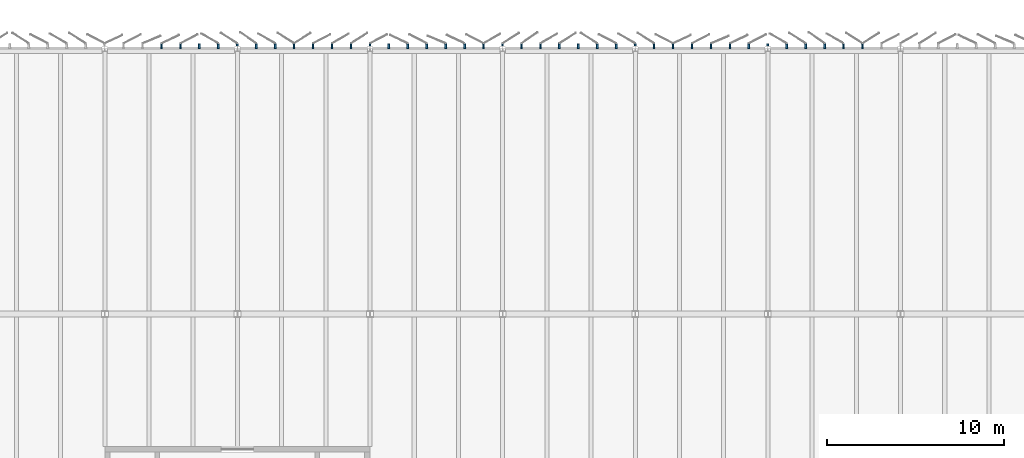
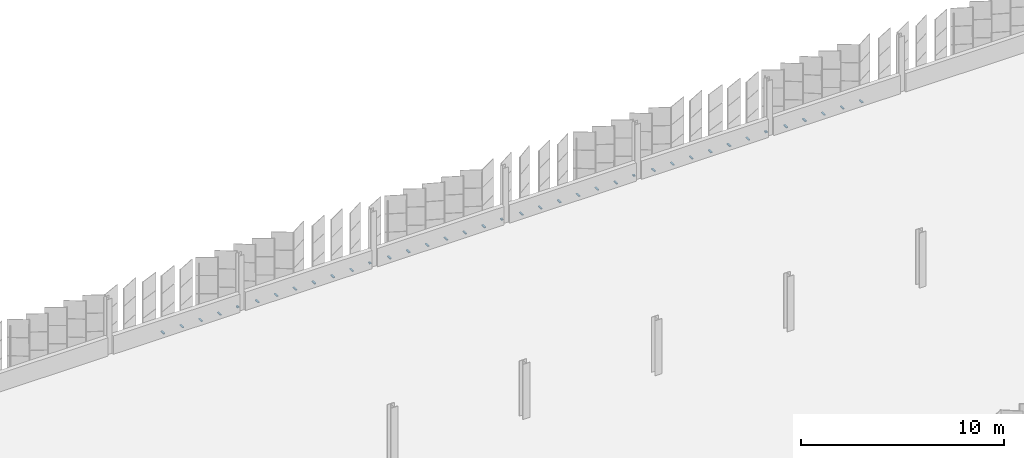
# One storey, part 176 of 199: 38 discrete accessories.
"""IFC4 building model written with IfcOpenShell, lengths in metres."""

from ifc_helpers import new_model, si_unit, direction, frame, origin, origin_2d, place, context, subcontext, project, spatial, rectangle, extrude, material, type_object, element, save


model = new_model("IFC4")

# Units and contexts
model_context = context("Model", 3, precision=1e-05, world=origin(), true_north=direction((0.0, 1.0)))
body_context = subcontext(model_context, "Body", "Model", "MODEL_VIEW")
ifc_project = project(units=[si_unit("LENGTHUNIT", "METRE"), si_unit("AREAUNIT", "SQUARE_METRE"), si_unit("VOLUMEUNIT", "CUBIC_METRE"), si_unit("PLANEANGLEUNIT", "RADIAN"), si_unit("MASSUNIT", "GRAM", prefix="KILO")], contexts=[model_context])

# Site, building, storey
site_placement = place(None, origin())
site = spatial("IfcSite", under=ifc_project, at=site_placement, CompositionType="ELEMENT")
building_placement = place(site_placement, origin())
building = spatial("IfcBuilding", under=site, at=building_placement, Name="Parallax Yard Mobility Hub", CompositionType="ELEMENT")
storey_placement = place(building_placement, frame((0.0, 0.0, 9.89990234375)))
storey = spatial("IfcBuildingStorey", under=building, at=storey_placement, Name="L03", CompositionType="ELEMENT", Elevation=9.89990234375)

# Discrete accessories
ifc_material = material(Name="Steel ASTM A36, hot-dip galvanised", Category="steel")
discrete_accessory_type = type_object("IfcDiscreteAccessoryType", Name="Hinge bracket plate 100x50", PredefinedType="BRACKET", material=ifc_material)
for number, where, z_axis, x_axis, name in (
    (1, (110.351806640625, 142.6416015625, -0.02490234375), (0.0, 0.0, 1.0), (0.0, 1.0, 0.0), "Hinge bracket plate bay 59.3 level L03"),
    (2, (109.280029296875, 142.6416015625, -0.02490234375), (0.0, 0.0, 1.0), (0.0, 1.0, 0.0), "Hinge bracket plate bay 59.4 level L03"),
    (3, (108.20849609375, 142.6416015625, -0.02490234375), (0.0, 0.0, 1.0), (0.0, 1.0, 0.0), "Hinge bracket plate bay 59.5 level L03"),
    (4, (107.136962890625, 142.6416015625, -0.02490234375), (0.0, 0.0, 1.0), (0.0, 1.0, 0.0), "Hinge bracket plate bay 59.6 level L03"),
    (5, (106.0654296875, 142.6416015625, -0.02490234375), (0.0, 0.0, 1.0), (0.0, 1.0, 0.0), "Hinge bracket plate bay 59.7 level L03"),
):
    element("IfcDiscreteAccessory", number, at=place(storey_placement, frame(where, z_axis=z_axis, x_axis=x_axis)), inside=storey, type_object=discrete_accessory_type, Name=name, PredefinedType="BRACKET", context=body_context, shape_type="SweptSolid", body=[
        extrude(rectangle(XDim=0.2841796875, YDim=0.10009765625, at=origin_2d()), origin(), (0.0, 0.0, 1.0), 0.050048828125),
    ])
discrete_accessory_1_placement = place(storey_placement, frame((104.993896484375, 142.71826171875, -0.02490234375), z_axis=(0.0, 0.0, 1.0), x_axis=(0.0, 1.0, 0.0)))
element("IfcDiscreteAccessory", 6, at=discrete_accessory_1_placement, inside=storey, type_object=discrete_accessory_type, Name="Hinge bracket plate bay 60.1 level L03", PredefinedType="BRACKET", context=body_context, shape_type="SweptSolid", body=[
    extrude(rectangle(XDim=0.130615234375, YDim=0.10009765625, at=origin_2d()), origin(), (0.0, 0.0, 1.0), 0.050048828125),
])
for number, where, z_axis, x_axis, name in (
    (7, (103.92236328125, 142.6416015625, -0.02490234375), (0.0, 0.0, 1.0), (0.0, 1.0, 0.0), "Hinge bracket plate bay 60.2 level L03"),
    (8, (102.850830078125, 142.6416015625, -0.02490234375), (0.0, 0.0, 1.0), (0.0, 1.0, 0.0), "Hinge bracket plate bay 60.3 level L03"),
    (9, (101.779296875, 142.6416015625, -0.02490234375), (0.0, 0.0, 1.0), (0.0, 1.0, 0.0), "Hinge bracket plate bay 60.4 level L03"),
    (10, (100.707763671875, 142.6416015625, -0.02490234375), (0.0, 0.0, 1.0), (0.0, 1.0, 0.0), "Hinge bracket plate bay 60.5 level L03"),
    (11, (99.635986328125, 142.6416015625, -0.02490234375), (0.0, 0.0, 1.0), (0.0, 1.0, 0.0), "Hinge bracket plate bay 60.6 level L03"),
    (12, (98.564453125, 142.6416015625, -0.02490234375), (0.0, 0.0, 1.0), (0.0, 1.0, 0.0), "Hinge bracket plate bay 60.7 level L03"),
):
    element("IfcDiscreteAccessory", number, at=place(storey_placement, frame(where, z_axis=z_axis, x_axis=x_axis)), inside=storey, type_object=discrete_accessory_type, Name=name, PredefinedType="BRACKET", context=body_context, shape_type="SweptSolid", body=[
        extrude(rectangle(XDim=0.2841796875, YDim=0.10009765625, at=origin_2d()), origin(), (0.0, 0.0, 1.0), 0.050048828125),
    ])
discrete_accessory_2_placement = place(storey_placement, frame((97.492919921875, 142.71826171875, -0.02490234375), z_axis=(0.0, 0.0, 1.0), x_axis=(0.0, 1.0, 0.0)))
element("IfcDiscreteAccessory", 13, at=discrete_accessory_2_placement, inside=storey, type_object=discrete_accessory_type, Name="Hinge bracket plate bay 61.1 level L03", PredefinedType="BRACKET", context=body_context, shape_type="SweptSolid", body=[
    extrude(rectangle(XDim=0.130615234375, YDim=0.10009765625, at=origin_2d()), origin(), (0.0, 0.0, 1.0), 0.050048828125),
])
for number, where, z_axis, x_axis, name in (
    (14, (96.42138671875, 142.6416015625, -0.02490234375), (0.0, 0.0, 1.0), (0.0, 1.0, 0.0), "Hinge bracket plate bay 61.2 level L03"),
    (15, (95.349853515625, 142.6416015625, -0.02490234375), (0.0, 0.0, 1.0), (0.0, 1.0, 0.0), "Hinge bracket plate bay 61.3 level L03"),
    (16, (94.2783203125, 142.6416015625, -0.02490234375), (0.0, 0.0, 1.0), (0.0, 1.0, 0.0), "Hinge bracket plate bay 61.4 level L03"),
    (17, (93.206787109375, 142.6416015625, -0.02490234375), (0.0, 0.0, 1.0), (0.0, 1.0, 0.0), "Hinge bracket plate bay 61.5 level L03"),
    (18, (92.13525390625, 142.6416015625, -0.02490234375), (0.0, 0.0, 1.0), (0.0, 1.0, 0.0), "Hinge bracket plate bay 61.6 level L03"),
    (19, (91.063720703125, 142.6416015625, -0.02490234375), (0.0, 0.0, 1.0), (0.0, 1.0, 0.0), "Hinge bracket plate bay 61.7 level L03"),
):
    element("IfcDiscreteAccessory", number, at=place(storey_placement, frame(where, z_axis=z_axis, x_axis=x_axis)), inside=storey, type_object=discrete_accessory_type, Name=name, PredefinedType="BRACKET", context=body_context, shape_type="SweptSolid", body=[
        extrude(rectangle(XDim=0.2841796875, YDim=0.10009765625, at=origin_2d()), origin(), (0.0, 0.0, 1.0), 0.050048828125),
    ])
discrete_accessory_3_placement = place(storey_placement, frame((89.9921875, 142.71826171875, -0.02490234375), z_axis=(0.0, 0.0, 1.0), x_axis=(0.0, 1.0, 0.0)))
element("IfcDiscreteAccessory", 20, at=discrete_accessory_3_placement, inside=storey, type_object=discrete_accessory_type, Name="Hinge bracket plate bay 62.1 level L03", PredefinedType="BRACKET", context=body_context, shape_type="SweptSolid", body=[
    extrude(rectangle(XDim=0.130615234375, YDim=0.10009765625, at=origin_2d()), origin(), (0.0, 0.0, 1.0), 0.050048828125),
])
for number, where, z_axis, x_axis, name in (
    (21, (88.92041015625, 142.6416015625, -0.02490234375), (0.0, 0.0, 1.0), (0.0, 1.0, 0.0), "Hinge bracket plate bay 62.2 level L03"),
    (22, (87.84912109375, 142.6416015625, -0.02490234375), (0.0, 0.0, 1.0), (0.0, 1.0, 0.0), "Hinge bracket plate bay 62.3 level L03"),
    (23, (86.77734375, 142.6416015625, -0.02490234375), (0.0, 0.0, 1.0), (0.0, 1.0, 0.0), "Hinge bracket plate bay 62.4 level L03"),
    (24, (85.705810546875, 142.6416015625, -0.02490234375), (0.0, 0.0, 1.0), (0.0, 1.0, 0.0), "Hinge bracket plate bay 62.5 level L03"),
    (25, (84.63427734375, 142.6416015625, -0.02490234375), (0.0, 0.0, 1.0), (0.0, 1.0, 0.0), "Hinge bracket plate bay 62.6 level L03"),
    (26, (83.562744140625, 142.6416015625, -0.02490234375), (0.0, 0.0, 1.0), (0.0, 1.0, 0.0), "Hinge bracket plate bay 62.7 level L03"),
):
    element("IfcDiscreteAccessory", number, at=place(storey_placement, frame(where, z_axis=z_axis, x_axis=x_axis)), inside=storey, type_object=discrete_accessory_type, Name=name, PredefinedType="BRACKET", context=body_context, shape_type="SweptSolid", body=[
        extrude(rectangle(XDim=0.2841796875, YDim=0.10009765625, at=origin_2d()), origin(), (0.0, 0.0, 1.0), 0.050048828125),
    ])
discrete_accessory_4_placement = place(storey_placement, frame((82.4912109375, 142.71826171875, -0.02490234375), z_axis=(0.0, 0.0, 1.0), x_axis=(0.0, 1.0, 0.0)))
element("IfcDiscreteAccessory", 27, at=discrete_accessory_4_placement, inside=storey, type_object=discrete_accessory_type, Name="Hinge bracket plate bay 63.1 level L03", PredefinedType="BRACKET", context=body_context, shape_type="SweptSolid", body=[
    extrude(rectangle(XDim=0.130615234375, YDim=0.10009765625, at=origin_2d()), origin(), (0.0, 0.0, 1.0), 0.050048828125),
])
for number, where, z_axis, x_axis, name in (
    (28, (81.419677734375, 142.6416015625, -0.02490234375), (0.0, 0.0, 1.0), (0.0, 1.0, 0.0), "Hinge bracket plate bay 63.2 level L03"),
    (29, (80.34814453125, 142.6416015625, -0.02490234375), (0.0, 0.0, 1.0), (0.0, 1.0, 0.0), "Hinge bracket plate bay 63.3 level L03"),
    (30, (79.276611328125, 142.6416015625, -0.02490234375), (0.0, 0.0, 1.0), (0.0, 1.0, 0.0), "Hinge bracket plate bay 63.4 level L03"),
    (31, (78.205078125, 142.6416015625, -0.02490234375), (0.0, 0.0, 1.0), (0.0, 1.0, 0.0), "Hinge bracket plate bay 63.5 level L03"),
    (32, (77.13330078125, 142.6416015625, -0.02490234375), (0.0, 0.0, 1.0), (0.0, 1.0, 0.0), "Hinge bracket plate bay 63.6 level L03"),
    (33, (76.06201171875, 142.6416015625, -0.02490234375), (0.0, 0.0, 1.0), (0.0, 1.0, 0.0), "Hinge bracket plate bay 63.7 level L03"),
):
    element("IfcDiscreteAccessory", number, at=place(storey_placement, frame(where, z_axis=z_axis, x_axis=x_axis)), inside=storey, type_object=discrete_accessory_type, Name=name, PredefinedType="BRACKET", context=body_context, shape_type="SweptSolid", body=[
        extrude(rectangle(XDim=0.2841796875, YDim=0.10009765625, at=origin_2d()), origin(), (0.0, 0.0, 1.0), 0.050048828125),
    ])
discrete_accessory_5_placement = place(storey_placement, frame((74.990234375, 142.71826171875, -0.02490234375), z_axis=(0.0, 0.0, 1.0), x_axis=(0.0, 1.0, 0.0)))
element("IfcDiscreteAccessory", 34, at=discrete_accessory_5_placement, inside=storey, type_object=discrete_accessory_type, Name="Hinge bracket plate bay 64.1 level L03", PredefinedType="BRACKET", context=body_context, shape_type="SweptSolid", body=[
    extrude(rectangle(XDim=0.130615234375, YDim=0.10009765625, at=origin_2d()), origin(), (0.0, 0.0, 1.0), 0.050048828125),
])
for number, where, z_axis, x_axis, name in (
    (35, (73.918701171875, 142.6416015625, -0.02490234375), (0.0, 0.0, 1.0), (0.0, 1.0, 0.0), "Hinge bracket plate bay 64.2 level L03"),
    (36, (72.84716796875, 142.6416015625, -0.02490234375), (0.0, 0.0, 1.0), (0.0, 1.0, 0.0), "Hinge bracket plate bay 64.3 level L03"),
    (37, (71.775634765625, 142.6416015625, -0.02490234375), (0.0, 0.0, 1.0), (0.0, 1.0, 0.0), "Hinge bracket plate bay 64.4 level L03"),
    (38, (70.7041015625, 142.6416015625, -0.02490234375), (0.0, 0.0, 1.0), (0.0, 1.0, 0.0), "Hinge bracket plate bay 64.5 level L03"),
):
    element("IfcDiscreteAccessory", number, at=place(storey_placement, frame(where, z_axis=z_axis, x_axis=x_axis)), inside=storey, type_object=discrete_accessory_type, Name=name, PredefinedType="BRACKET", context=body_context, shape_type="SweptSolid", body=[
        extrude(rectangle(XDim=0.2841796875, YDim=0.10009765625, at=origin_2d()), origin(), (0.0, 0.0, 1.0), 0.050048828125),
    ])

save(model, "model.ifc")
